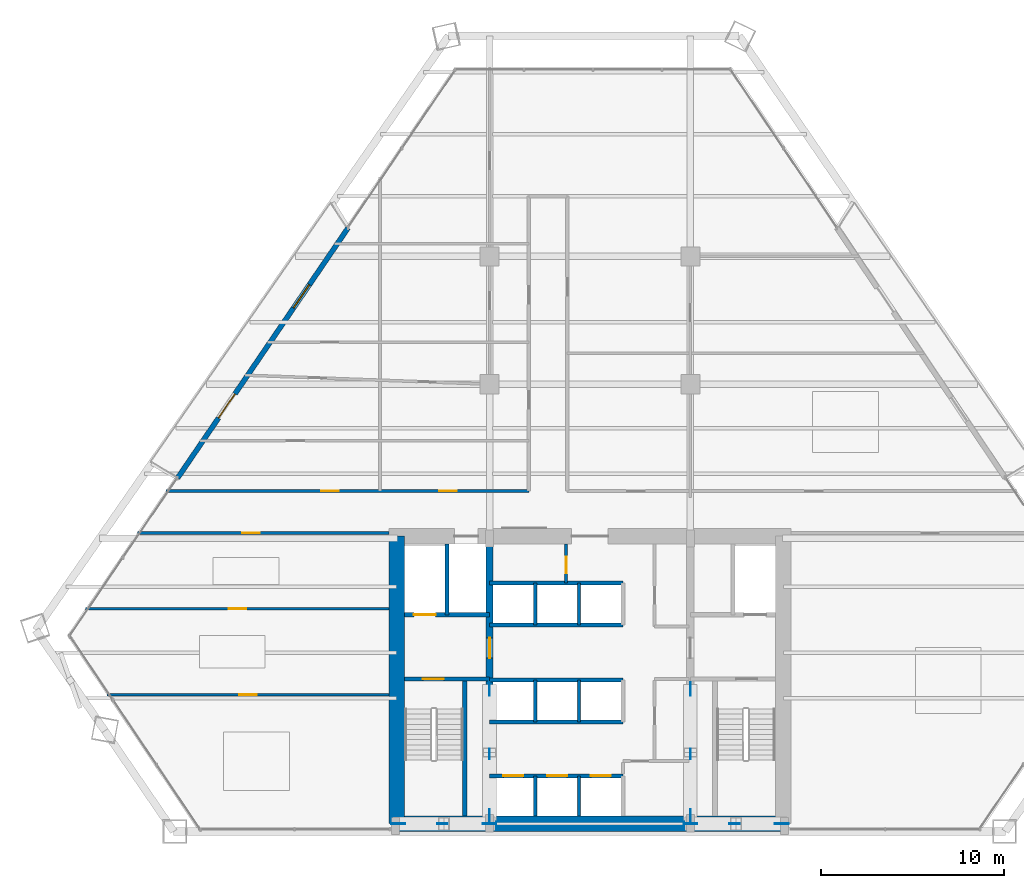
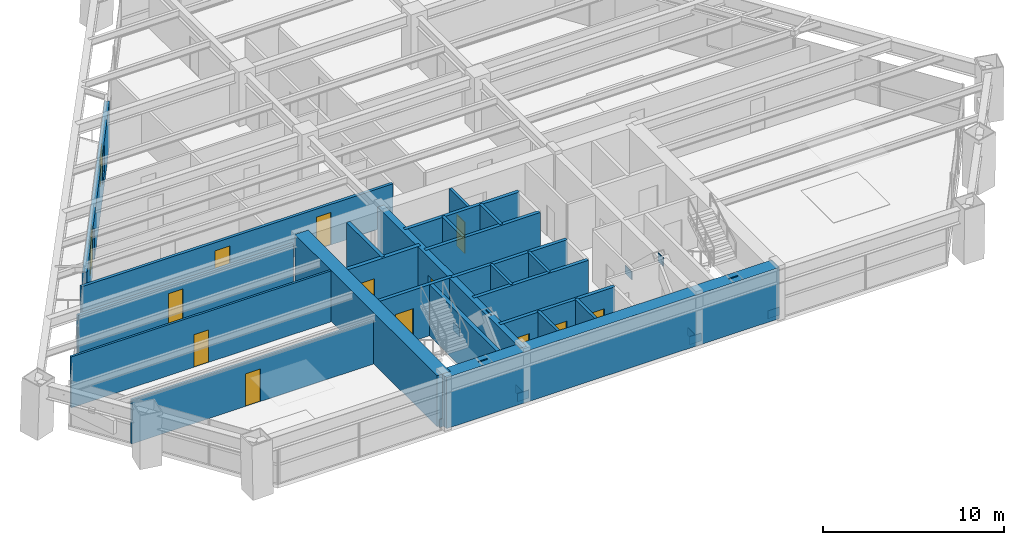
# One storey, part 10 of 14: 24 walls, 13 doors, 12 plates, 1 window, 14 openings.
"""IFC4 building model written with IfcOpenShell, lengths in metres."""

from ifc_helpers import new_model, si_unit, direction, frame, frame_2d, origin, origin_2d, place, context, subcontext, project, spatial, rectangle, extrude, source, transform, mapped, material, layer, layer_set, type_object, type_shapes, element, fill, save


model = new_model("IFC4")

# Units and contexts
model_context = context("Model", 3, precision=1e-05, world=origin(), true_north=direction((0.0, 1.0)))
body_context = subcontext(model_context, "Body", "Model", "MODEL_VIEW")
ifc_project = project(units=[si_unit("LENGTHUNIT", "METRE"), si_unit("AREAUNIT", "SQUARE_METRE"), si_unit("VOLUMEUNIT", "CUBIC_METRE"), si_unit("PLANEANGLEUNIT", "RADIAN"), si_unit("MASSUNIT", "GRAM", prefix="KILO")], contexts=[model_context])

# Site, building, storey
site_placement = place(None, origin())
site = spatial("IfcSite", under=ifc_project, at=site_placement, CompositionType="ELEMENT")
building_placement = place(site_placement, origin())
building = spatial("IfcBuilding", under=site, at=building_placement, Name="Varnakhor Terracotta Tower", CompositionType="ELEMENT")
storey_placement = place(building_placement, frame((0.0, 0.0, 42.300048828125)))
storey = spatial("IfcBuildingStorey", under=building, at=storey_placement, Name="L09", CompositionType="ELEMENT", Elevation=42.300048828125)

# Plates
ifc_material_1 = material(Name="Steel S460", Category="steel")
ifc_layer_1 = layer(ifc_material_1, 0.050048828125, Name="Steel S460")
ifc_layer_set_1 = layer_set([ifc_layer_1], Name="Steel S460")
plate_type = type_object("IfcPlateType", Name="PLT-GUSSET-50", PredefinedType="USERDEFINED", material=ifc_layer_set_1)
shared_shape_1 = source(origin(), body_context, "Body", "SweptSolid", [
    extrude(rectangle(XDim=0.75, YDim=0.0400390625, at=origin_2d()), origin(), (0.0, 0.0, 1.0), 0.550048828125),
])
type_shapes(plate_type, [shared_shape_1])
for number, where, z_axis, x_axis, name in (
    (1, (-10.5, 0.419921875, -0.09521484375), (0.0, 0.0, 1.0), (1.0, 0.0, 0.0), "L09 Core Brace Embed Plate CSWA"),
    (2, (-5.5, 0.419921875, -0.09521484375), (0.0, 0.0, 1.0), (1.0, 0.0, 0.0), "L09 Core Brace Embed Plate CSWB"),
    (3, (5.5, 0.419921875, -0.09521484375), (0.0, 0.0, 1.0), (1.0, 0.0, 0.0), "L09 Core Brace Embed Plate CSEA"),
    (4, (10.5, 0.419921875, -0.09521484375), (0.0, 0.0, 1.0), (1.0, 0.0, 0.0), "L09 Core Brace Embed Plate CSEB"),
    (5, (-5.5, 0.85009765625, -0.09521484375), (0.0, 0.0, 1.0), (0.0, 1.0, 0.0), "L09 Core Brace Embed Plate CWWA"),
    (6, (-5.5, 7.800048828125, -0.09521484375), (0.0, 0.0, 1.0), (0.0, 1.0, 0.0), "L09 Core Brace Embed Plate CWWB"),
    (7, (5.5, 0.85009765625, -0.09521484375), (0.0, 0.0, 1.0), (0.0, 1.0, 0.0), "L09 Core Brace Embed Plate CWEA"),
    (8, (5.5, 7.800048828125, -0.09521484375), (0.0, 0.0, 1.0), (0.0, 1.0, 0.0), "L09 Core Brace Embed Plate CWEB"),
):
    element("IfcPlate", number, at=place(storey_placement, frame(where, z_axis=z_axis, x_axis=x_axis)), inside=storey, type_object=plate_type, Name=name, ObjectType="GUSSET PLATE", PredefinedType="USERDEFINED", context=body_context, shape_type="MappedRepresentation", body=[
        mapped(shared_shape_1, transform((0.0, 0.0, 0.0), scale=1.0)),
    ])
shared_shape_2 = source(origin(), body_context, "Body", "SweptSolid", [
    extrude(rectangle(XDim=0.580078125, YDim=0.0400390625, at=origin_2d()), origin(), (0.0, 0.0, 1.0), 0.580078125),
])
for number, where, z_axis, x_axis, name in (
    (9, (-8.072509765625, 0.419921875, 2.914306640625), (0.0, 0.0, 1.0), (1.0, 0.0, 0.0), "L09 Brace End Connection Plate 36"),
    (10, (7.927490234375, 0.419921875, 2.914306640625), (0.0, 0.0, 1.0), (1.0, 0.0, 0.0), "L09 Brace End Connection Plate 37"),
    (11, (-5.5, 4.238037109375, 2.92724609375), (0.0, 0.0, 1.0), (0.0, 1.0, 0.0), "L09 Brace End Connection Plate 38"),
    (12, (5.5, 4.238037109375, 2.92724609375), (0.0, 0.0, 1.0), (0.0, 1.0, 0.0), "L09 Brace End Connection Plate 39"),
):
    element("IfcPlate", number, at=place(storey_placement, frame(where, z_axis=z_axis, x_axis=x_axis)), inside=storey, type_object=plate_type, Name=name, ObjectType="GUSSET PLATE", PredefinedType="USERDEFINED", context=body_context, shape_type="MappedRepresentation", body=[
        mapped(shared_shape_2, transform((0.0, 0.0, 0.0), scale=1.0)),
    ])

# Walls
ifc_material_2 = material(Name="Concrete C60/75", Category="concrete")
ifc_layer_2 = layer(ifc_material_2, 0.85009765625, Name="Concrete C60/75")
ifc_layer_set_2 = layer_set([ifc_layer_2], Name="Concrete C60/75")
wall_type_1 = type_object("IfcWallType", Name="WAL-CORE-850", PredefinedType="SHEAR", material=ifc_layer_set_2)
wall_1_placement = place(storey_placement, frame((-10.64990234375, 0.425048828125, 0.0), z_axis=(0.0, 0.0, 1.0), x_axis=(1.0, 0.0, 0.0)))
element("IfcWall", 13, at=wall_1_placement, inside=storey, type_object=wall_type_1, Name="L09 South Core Shear Wall", PredefinedType="SHEAR", context=body_context, shape_type="SweptSolid", body=[
    extrude(rectangle(XDim=21.2998046875, YDim=0.85009765625, at=frame_2d((10.64990234375, 0.0))), origin(), (0.0, 0.0, 1.0), 3.449951171875),
])
wall_2_placement = place(storey_placement, frame((-10.574951171875, 0.425048828125, 0.0), z_axis=(0.0, 0.0, 1.0), x_axis=(0.0, 1.0, 0.0)))
element("IfcWall", 14, at=wall_2_placement, inside=storey, type_object=wall_type_1, Name="L09 West Core Shear Wall", PredefinedType="SHEAR", context=body_context, shape_type="SweptSolid", body=[
    extrude(rectangle(XDim=15.75, YDim=0.85009765625, at=frame_2d((7.875, 0.0))), origin(), (0.0, 0.0, 1.0), 3.449951171875),
])

# Wall, opening, door
ifc_material_3 = material(Name="Concrete C50/60", Category="concrete")
ifc_layer_3 = layer(ifc_material_3, 0.39990234375, Name="Concrete C50/60")
ifc_layer_set_3 = layer_set([ifc_layer_3], Name="Concrete C50/60")
wall_type_2 = type_object("IfcWallType", Name="WAL-CORE-WEB-400", PredefinedType="SHEAR", material=ifc_layer_set_3)
wall_3_placement = place(storey_placement, frame((-5.5, 0.425048828125, 0.0), z_axis=(0.0, 0.0, 1.0), x_axis=(0.0, 1.0, 0.0)))
wall_3 = element("IfcWall", 15, at=wall_3_placement, inside=storey, type_object=wall_type_2, Name="L09 West Core Web Shear Wall", PredefinedType="SHEAR", context=body_context, shape_type="SweptSolid", body=[
    extrude(rectangle(XDim=15.75, YDim=0.39990234375, at=frame_2d((7.875, 0.0))), origin(), (0.0, 0.0, 1.0), 3.449951171875),
])
opening_1_placement = place(wall_3_placement, frame((9.074951171875, 0.0, 0.0)))
opening_1 = element("IfcOpeningElement", 16, at=opening_1_placement, cuts=wall_3, Name="Opening DR-25", PredefinedType="OPENING", context=body_context, shape_type="SweptSolid", body=[
    extrude(rectangle(XDim=1.10009765625, YDim=2.199951171875, at=frame_2d((0.550048828125, 1.10009765625))), frame((0.0, 0.2099609375, 0.0), z_axis=(0.0, -1.0, 0.0), x_axis=(1.0, 0.0, 0.0)), (0.0, 0.0, 1.0), 0.419921875),
])
ifc_material_4 = material(Name="Firefighting Lobby Self-Closing Fire Door", Category="steel")
door_type_1 = type_object("IfcDoorType", Name="DR-FFL-1100X2200", OperationType="NOTDEFINED", PredefinedType="DOOR", material=ifc_material_4)
shared_shape_3 = source(origin(), body_context, "Body", "SweptSolid", [
    extrude(rectangle(XDim=1.10009765625, YDim=2.199951171875, at=frame_2d((0.550048828125, 1.10009765625))), frame((0.0, 0.02490234375, 0.0), z_axis=(0.0, -1.0, 0.0), x_axis=(1.0, 0.0, 0.0)), (0.0, 0.0, 1.0), 0.050048828125),
])
type_shapes(door_type_1, [shared_shape_3])
door_1_placement = place(opening_1_placement, origin())
door_1 = element("IfcDoor", 17, at=door_1_placement, inside=storey, type_object=door_type_1, Name="L09 West Firefighting Lobby Door", OperationType="SINGLE_SWING_LEFT", OverallHeight=2.199951171875, OverallWidth=1.10009765625, PredefinedType="DOOR", context=body_context, shape_type="MappedRepresentation", body=[
    mapped(shared_shape_3, transform((0.0, 0.0, 0.0), scale=1.0)),
])
fill(opening_1, door_1)

ifc_material_5 = material(Name="Fire-Rated Gypsum Stud Partition", Category="gypsum")
ifc_layer_4 = layer(ifc_material_5, 0.18505859375, Name="Fire-Rated Gypsum Stud Partition")
ifc_layer_set_4 = layer_set([ifc_layer_4], Name="Fire-Rated Gypsum Stud Partition")
wall_type_3 = type_object("IfcWallType", Name="WAL-CORR-185", PredefinedType="PARTITIONING", material=ifc_layer_set_4)
wall_4_placement = place(storey_placement, frame((-24.796875, 16.35009765625, 0.0), z_axis=(0.0, 0.0, 1.0), x_axis=(1.0, 0.0, 0.0)))
wall_4 = element("IfcWall", 18, at=wall_4_placement, inside=storey, type_object=wall_type_3, Name="L09 South West Corridor Wall", PredefinedType="PARTITIONING", context=body_context, shape_type="SweptSolid", body=[
    extrude(rectangle(XDim=13.77685546875, YDim=0.18505859375, at=frame_2d((6.888427734375, 0.0))), origin(), (0.0, 0.0, 1.0), 2.7470703125),
])
opening_2_placement = place(wall_4_placement, frame((5.758544921875, 0.0, 0.0)))
opening_2 = element("IfcOpeningElement", 19, at=opening_2_placement, cuts=wall_4, Name="Opening DR-94", PredefinedType="OPENING", context=body_context, shape_type="SweptSolid", body=[
    extrude(rectangle(XDim=0.949951171875, YDim=2.199951171875, at=frame_2d((0.47509765625, 1.10009765625))), frame((0.0, 0.1025390625, 0.0), z_axis=(0.0, -1.0, 0.0), x_axis=(1.0, 0.0, 0.0)), (0.0, 0.0, 1.0), 0.205078125),
])
ifc_material_6 = material(Name="Acoustic Glazed-Vision Timber Office Door", Category="wood")
door_type_2 = type_object("IfcDoorType", Name="DR-OFF-950X2200", OperationType="NOTDEFINED", PredefinedType="DOOR", material=ifc_material_6)
shared_shape_4 = source(origin(), body_context, "Body", "SweptSolid", [
    extrude(rectangle(XDim=0.949951171875, YDim=2.199951171875, at=frame_2d((0.47509765625, 1.10009765625))), frame((0.0, 0.02490234375, 0.0), z_axis=(0.0, -1.0, 0.0), x_axis=(1.0, 0.0, 0.0)), (0.0, 0.0, 1.0), 0.050048828125),
])
type_shapes(door_type_2, [shared_shape_4])
door_2_placement = place(opening_2_placement, origin())
door_2 = element("IfcDoor", 20, at=door_2_placement, inside=storey, type_object=door_type_2, Name="L09 SW Suite Door", OperationType="SINGLE_SWING_RIGHT", OverallHeight=2.199951171875, OverallWidth=0.949951171875, PredefinedType="DOOR", context=body_context, shape_type="MappedRepresentation", body=[
    mapped(shared_shape_4, transform((0.0, 0.0, 0.0), scale=1.0)),
])
fill(opening_2, door_2)

# Wall, openings, doors
wall_5_placement = place(storey_placement, frame((-23.22900390625, 18.64990234375, 0.0), z_axis=(0.0, 0.0, 1.0), x_axis=(1.0, 0.0, 0.0)))
wall_5 = element("IfcWall", 21, at=wall_5_placement, inside=storey, type_object=wall_type_3, Name="L09 Corridor North West Wall", PredefinedType="PARTITIONING", context=body_context, shape_type="SweptSolid", body=[
    extrude(rectangle(XDim=19.87890625, YDim=0.18505859375, at=frame_2d((9.939453125, 0.0))), origin(), (0.0, 0.0, 1.0), 2.7470703125),
])
opening_3_placement = place(wall_5_placement, frame((8.504638671875, 0.0, 0.0)))
opening_3 = element("IfcOpeningElement", 22, at=opening_3_placement, cuts=wall_5, Name="Opening DR-94", PredefinedType="OPENING", context=body_context, shape_type="SweptSolid", body=[
    extrude(rectangle(XDim=0.949951171875, YDim=2.199951171875, at=frame_2d((0.47509765625, 1.10009765625))), frame((0.0, 0.1025390625, 0.0), z_axis=(0.0, -1.0, 0.0), x_axis=(1.0, 0.0, 0.0)), (0.0, 0.0, 1.0), 0.205078125),
])
opening_4_placement = place(wall_5_placement, frame((14.981689453125, 0.0, 0.0)))
opening_4 = element("IfcOpeningElement", 23, at=opening_4_placement, cuts=wall_5, Name="Opening DR-94", PredefinedType="OPENING", context=body_context, shape_type="SweptSolid", body=[
    extrude(rectangle(XDim=0.949951171875, YDim=2.199951171875, at=frame_2d((0.47509765625, 1.10009765625))), frame((0.0, 0.1025390625, 0.0), z_axis=(0.0, -1.0, 0.0), x_axis=(1.0, 0.0, 0.0)), (0.0, 0.0, 1.0), 0.205078125),
])
door_3_placement = place(opening_3_placement, origin())
door_3 = element("IfcDoor", 24, at=door_3_placement, inside=storey, type_object=door_type_2, Name="L09 West Workplace Door", OperationType="SINGLE_SWING_RIGHT", OverallHeight=2.199951171875, OverallWidth=0.949951171875, PredefinedType="DOOR", context=body_context, shape_type="MappedRepresentation", body=[
    mapped(shared_shape_4, transform((0.0, 0.0, 0.0), scale=1.0)),
])
fill(opening_3, door_3)
door_4_placement = place(opening_4_placement, origin())
door_4 = element("IfcDoor", 25, at=door_4_placement, inside=storey, type_object=door_type_2, Name="L09 Project Study Office B7 Door", OperationType="SINGLE_SWING_LEFT", OverallHeight=2.199951171875, OverallWidth=0.949951171875, PredefinedType="DOOR", context=body_context, shape_type="MappedRepresentation", body=[
    mapped(shared_shape_4, transform((0.0, 0.0, 0.0), scale=1.0)),
])
fill(opening_4, door_4)

# Wall, openings, door, window
ifc_material_7 = material(Name="Extruded Architectural Terracotta Assembly", Category="masonry")
ifc_layer_5 = layer(ifc_material_7, 0.280029296875, Name="Extruded Architectural Terracotta Assembly")
ifc_layer_set_5 = layer_set([ifc_layer_5], Name="Extruded Architectural Terracotta Assembly")
wall_type_4 = type_object("IfcWallType", Name="WAL-EXT-TERRACOTTA-280", PredefinedType="SOLIDWALL", material=ifc_layer_set_5)
wall_6_placement = place(storey_placement, frame((-22.586669921875, 19.36181640625, 0.0), z_axis=(0.0, 0.0, 1.0), x_axis=(0.563199697448, 0.826320821954, 0.0)))
wall_6 = element("IfcWall", 26, at=wall_6_placement, inside=storey, type_object=wall_type_4, Name="L09 W Loggia Insulated Terracotta Wall", PredefinedType="SOLIDWALL", context=body_context, shape_type="SweptSolid", body=[
    extrude(rectangle(XDim=16.574462890625, YDim=0.280029296875, at=frame_2d((8.287109375, 0.0))), origin(), (0.0, 0.0, 1.0), 3.030029296875),
])
opening_5_placement = place(wall_6_placement, frame((3.977783203125, 0.0, 0.0)))
opening_5 = element("IfcOpeningElement", 27, at=opening_5_placement, cuts=wall_6, Name="Opening DR-62", PredefinedType="OPENING", context=body_context, shape_type="SweptSolid", body=[
    extrude(rectangle(XDim=1.60009765625, YDim=2.35009765625, at=frame_2d((0.800048828125, 1.175048828125))), frame((0.0, 0.14990234375, 0.0), z_axis=(0.0, -1.0, 0.0), x_axis=(1.0, 0.0, 0.0)), (0.0, 0.0, 1.0), 0.300048828125),
])
opening_6_placement = place(wall_6_placement, frame((11.2705078125, 0.0, 0.89990234375)))
opening_6 = element("IfcOpeningElement", 28, at=opening_6_placement, cuts=wall_6, Name="Opening WN-57", PredefinedType="OPENING", context=body_context, shape_type="SweptSolid", body=[
    extrude(rectangle(XDim=1.550048828125, YDim=1.85009765625, at=frame_2d((0.77490234375, 0.925048828125))), frame((0.0, 0.14990234375, 0.0), z_axis=(0.0, -1.0, 0.0), x_axis=(1.0, 0.0, 0.0)), (0.0, 0.0, 1.0), 0.300048828125),
])
ifc_material_8 = material(Name="Thermally Broken Sliding Glass Loggia Door", Category="glass")
door_type_3 = type_object("IfcDoorType", Name="DR-EXT-LOGGIA-1600X2350", OperationType="NOTDEFINED", PredefinedType="DOOR", material=ifc_material_8)
shared_shape_5 = source(origin(), body_context, "Body", "SweptSolid", [
    extrude(rectangle(XDim=1.60009765625, YDim=2.35009765625, at=frame_2d((0.800048828125, 1.175048828125))), frame((0.0, 0.02490234375, 0.0), z_axis=(0.0, -1.0, 0.0), x_axis=(1.0, 0.0, 0.0)), (0.0, 0.0, 1.0), 0.050048828125),
])
type_shapes(door_type_3, [shared_shape_5])
door_5_placement = place(opening_5_placement, origin())
door_5 = element("IfcDoor", 29, at=door_5_placement, inside=storey, type_object=door_type_3, Name="L09 W Recessed Loggia Sliding Door", OperationType="SLIDING_TO_LEFT", OverallHeight=2.35009765625, OverallWidth=1.60009765625, PredefinedType="DOOR", context=body_context, shape_type="MappedRepresentation", body=[
    mapped(shared_shape_5, transform((0.0, 0.0, 0.0), scale=1.0)),
])
fill(opening_5, door_5)
ifc_material_9 = material(Name="Solar-Control Low-E Insulated Glass Unit", Category="glass")
window_type = type_object("IfcWindowType", Name="WIN-OFF-1650X2100", PartitioningType="SINGLE_PANEL", PredefinedType="WINDOW", material=ifc_material_9)
shared_shape_6 = source(origin(), body_context, "Body", "SweptSolid", [
    extrude(rectangle(XDim=1.550048828125, YDim=1.85009765625, at=frame_2d((0.77490234375, 0.925048828125))), frame((0.0, 0.030029296875, 0.0), z_axis=(0.0, -1.0, 0.0), x_axis=(1.0, 0.0, 0.0)), (0.0, 0.0, 1.0), 0.06005859375),
])
type_shapes(window_type, [shared_shape_6])
window_placement = place(opening_6_placement, origin())
window = element("IfcWindow", 30, at=window_placement, inside=storey, type_object=window_type, Name="L09 W Facet Punched Window", OverallHeight=1.85009765625, OverallWidth=1.550048828125, PartitioningType="SINGLE_PANEL", PredefinedType="WINDOW", context=body_context, shape_type="MappedRepresentation", body=[
    mapped(shared_shape_6, transform((0.0, 0.0, 0.0), scale=1.0)),
])
fill(opening_6, window)

# Wall, opening, door
ifc_material_10 = material(Name="Concrete C40/50", Category="concrete")
ifc_layer_6 = layer(ifc_material_10, 0.219970703125, Name="Concrete C40/50")
ifc_layer_set_6 = layer_set([ifc_layer_6], Name="Concrete C40/50")
wall_type_5 = type_object("IfcWallType", Name="WAL-FFLOBBY-220", PredefinedType="SOLIDWALL", material=ifc_layer_set_6)
wall_7_placement = place(storey_placement, frame((-5.5, 8.35009765625, 0.0), z_axis=(0.0, 0.0, 1.0), x_axis=(-1.0, 0.0, 0.0)))
wall_7 = element("IfcWall", 31, at=wall_7_placement, inside=storey, type_object=wall_type_5, Name="L09 West Firefighting Lobby Stair Wall", PredefinedType="SOLIDWALL", context=body_context, shape_type="SweptSolid", body=[
    extrude(rectangle(XDim=4.64990234375, YDim=0.219970703125, at=frame_2d((2.324951171875, 0.0))), origin(), (0.0, 0.0, 1.0), 3.449951171875),
])
opening_7_placement = place(wall_7_placement, frame((2.5, 0.0, 0.0)))
opening_7 = element("IfcOpeningElement", 32, at=opening_7_placement, cuts=wall_7, Name="Opening DR-34", PredefinedType="OPENING", context=body_context, shape_type="SweptSolid", body=[
    extrude(rectangle(XDim=1.14990234375, YDim=2.199951171875, at=frame_2d((0.574951171875, 1.10009765625))), frame((0.0, 0.1201171875, 0.0), z_axis=(0.0, -1.0, 0.0), x_axis=(1.0, 0.0, 0.0)), (0.0, 0.0, 1.0), 0.239990234375),
])
ifc_material_11 = material(Name="Self-Closing Smoke-Sealed Steel Fire Door", Category="steel")
door_type_4 = type_object("IfcDoorType", Name="DR-STAIR-1150X2200", OperationType="NOTDEFINED", PredefinedType="DOOR", material=ifc_material_11)
shared_shape_7 = source(origin(), body_context, "Body", "SweptSolid", [
    extrude(rectangle(XDim=1.14990234375, YDim=2.199951171875, at=frame_2d((0.574951171875, 1.10009765625))), frame((0.0, 0.02490234375, 0.0), z_axis=(0.0, -1.0, 0.0), x_axis=(1.0, 0.0, 0.0)), (0.0, 0.0, 1.0), 0.050048828125),
])
type_shapes(door_type_4, [shared_shape_7])
door_6_placement = place(opening_7_placement, origin())
door_6 = element("IfcDoor", 33, at=door_6_placement, inside=storey, type_object=door_type_4, Name="L09 Exit Stair ST-1 Fire Door", OperationType="SINGLE_SWING_RIGHT", OverallHeight=2.199951171875, OverallWidth=1.14990234375, PredefinedType="DOOR", context=body_context, shape_type="MappedRepresentation", body=[
    mapped(shared_shape_7, transform((0.0, 0.0, 0.0), scale=1.0)),
])
fill(opening_7, door_6)

ifc_material_12 = material(Name="Acoustic Metal-Stud Partition", Category="gypsum")
ifc_layer_7 = layer(ifc_material_12, 0.139892578125, Name="Acoustic Metal-Stud Partition")
ifc_layer_set_7 = layer_set([ifc_layer_7], Name="Acoustic Metal-Stud Partition")
wall_type_6 = type_object("IfcWallType", Name="WAL-PART-140", PredefinedType="PARTITIONING", material=ifc_layer_set_7)
wall_8_placement = place(storey_placement, frame((-26.45849609375, 7.5, 0.0), z_axis=(0.0, 0.0, 1.0), x_axis=(1.0, 0.0, 0.0)))
wall_8 = element("IfcWall", 34, at=wall_8_placement, inside=storey, type_object=wall_type_6, Name="L09 South West Cut 1", PredefinedType="PARTITIONING", context=body_context, shape_type="SweptSolid", body=[
    extrude(rectangle(XDim=15.4384765625, YDim=0.139892578125, at=frame_2d((7.71923828125, 0.0))), origin(), (0.0, 0.0, 1.0), 2.97900390625),
])
opening_8_placement = place(wall_8_placement, frame((7.25634765625, 0.0, 0.0)))
opening_8 = element("IfcOpeningElement", 35, at=opening_8_placement, cuts=wall_8, Name="Opening DR-94", PredefinedType="OPENING", context=body_context, shape_type="SweptSolid", body=[
    extrude(rectangle(XDim=0.949951171875, YDim=2.199951171875, at=frame_2d((0.47509765625, 1.10009765625))), frame((0.0, 0.080078125, 0.0), z_axis=(0.0, -1.0, 0.0), x_axis=(1.0, 0.0, 0.0)), (0.0, 0.0, 1.0), 0.159912109375),
])
door_7_placement = place(opening_8_placement, origin())
door_7 = element("IfcDoor", 36, at=door_7_placement, inside=storey, type_object=door_type_2, Name="L09 South West Executive Office Door", OperationType="SINGLE_SWING_RIGHT", OverallHeight=2.199951171875, OverallWidth=0.949951171875, PredefinedType="DOOR", context=body_context, shape_type="MappedRepresentation", body=[
    mapped(shared_shape_4, transform((0.0, 0.0, 0.0), scale=1.0)),
])
fill(opening_8, door_7)

wall_9_placement = place(storey_placement, frame((-27.625244140625, 12.199951171875, 0.0), z_axis=(0.0, 0.0, 1.0), x_axis=(1.0, 0.0, 0.0)))
wall_9 = element("IfcWall", 37, at=wall_9_placement, inside=storey, type_object=wall_type_6, Name="L09 South West Cut 2", PredefinedType="PARTITIONING", context=body_context, shape_type="SweptSolid", body=[
    extrude(rectangle(XDim=16.605224609375, YDim=0.139892578125, at=frame_2d((8.302734375, 0.0))), origin(), (0.0, 0.0, 1.0), 3.44189453125),
])
opening_9_placement = place(wall_9_placement, frame((7.840576171875, 0.0, 0.0)))
opening_9 = element("IfcOpeningElement", 38, at=opening_9_placement, cuts=wall_9, Name="Opening DR-94", PredefinedType="OPENING", context=body_context, shape_type="SweptSolid", body=[
    extrude(rectangle(XDim=0.949951171875, YDim=2.199951171875, at=frame_2d((0.47509765625, 1.10009765625))), frame((0.0, 0.080078125, 0.0), z_axis=(0.0, -1.0, 0.0), x_axis=(1.0, 0.0, 0.0)), (0.0, 0.0, 1.0), 0.159912109375),
])
door_8_placement = place(opening_9_placement, origin())
door_8 = element("IfcDoor", 39, at=door_8_placement, inside=storey, type_object=door_type_2, Name="L09 Project Study Office Door", OperationType="SINGLE_SWING_RIGHT", OverallHeight=2.199951171875, OverallWidth=0.949951171875, PredefinedType="DOOR", context=body_context, shape_type="MappedRepresentation", body=[
    mapped(shared_shape_4, transform((0.0, 0.0, 0.0), scale=1.0)),
])
fill(opening_9, door_8)

# Walls
ifc_layer_8 = layer(ifc_material_10, 0.179931640625, Name="Concrete C40/50")
ifc_layer_set_8 = layer_set([ifc_layer_8], Name="Concrete C40/50")
wall_type_7 = type_object("IfcWallType", Name="WAL-SHAFT-180", PredefinedType="SOLIDWALL", material=ifc_layer_set_8)
for number, where, z_axis, x_axis, name in (
    (40, (-3.0, 0.85009765625, 0.0), (0.0, 0.0, 1.0), (0.0, 1.0, 0.0), "L09 PL-1A Divider"),
    (41, (-0.60009765625, 0.85009765625, 0.0), (0.0, 0.0, 1.0), (0.0, 1.0, 0.0), "L09 PL-1B Divider"),
):
    element("IfcWall", number, at=place(storey_placement, frame(where, z_axis=z_axis, x_axis=x_axis)), inside=storey, type_object=wall_type_7, Name=name, PredefinedType="SOLIDWALL", context=body_context, shape_type="SweptSolid", body=[
        extrude(rectangle(XDim=2.199951171875, YDim=0.179931640625, at=frame_2d((1.10009765625, 0.0))), origin(), (0.0, 0.0, 1.0), 3.449951171875),
    ])
for number, where, z_axis, x_axis, name in (
    (42, (-3.0, 6.0, 0.0), (0.0, 0.0, 1.0), (0.0, 1.0, 0.0), "L09 PL-2A Divider"),
    (43, (-0.60009765625, 6.0, 0.0), (0.0, 0.0, 1.0), (0.0, 1.0, 0.0), "L09 PL-2B Divider"),
    (44, (-3.0, 11.320068359375, 0.0), (0.0, 0.0, 1.0), (0.0, 1.0, 0.0), "L09 PL-3A Divider"),
    (45, (-0.60009765625, 11.320068359375, 0.0), (0.0, 0.0, 1.0), (0.0, 1.0, 0.0), "L09 PL-3B Divider"),
):
    element("IfcWall", number, at=place(storey_placement, frame(where, z_axis=z_axis, x_axis=x_axis)), inside=storey, type_object=wall_type_7, Name=name, PredefinedType="SOLIDWALL", context=body_context, shape_type="SweptSolid", body=[
        extrude(rectangle(XDim=2.300048828125, YDim=0.179931640625, at=frame_2d((1.14990234375, 0.0))), origin(), (0.0, 0.0, 1.0), 3.449951171875),
    ])
ifc_layer_9 = layer(ifc_material_10, 0.219970703125, Name="Concrete C40/50")
ifc_layer_set_9 = layer_set([ifc_layer_9], Name="Concrete C40/50")
wall_type_8 = type_object("IfcWallType", Name="WAL-SHAFT-220", PredefinedType="SOLIDWALL", material=ifc_layer_set_9)
wall_10_placement = place(storey_placement, frame((-7.840087890625, 11.8701171875, 0.0), z_axis=(0.0, 0.0, 1.0), x_axis=(0.0, 1.0, 0.0)))
element("IfcWall", 46, at=wall_10_placement, inside=storey, type_object=wall_type_8, Name="L09 Lift FFL-1 and SVL-1 Divider Wall", PredefinedType="SOLIDWALL", context=body_context, shape_type="SweptSolid", body=[
    extrude(rectangle(XDim=3.8798828125, YDim=0.219970703125, at=frame_2d((1.93994140625, 0.0))), origin(), (0.0, 0.0, 1.0), 3.449951171875),
])

# Wall, openings, doors
wall_11_placement = place(storey_placement, frame((-5.5, 3.050048828125, 0.0), z_axis=(0.0, 0.0, 1.0), x_axis=(1.0, 0.0, 0.0)))
wall_11 = element("IfcWall", 47, at=wall_11_placement, inside=storey, type_object=wall_type_8, Name="L09 Bank 1 Lift Shaft Wall", PredefinedType="SOLIDWALL", context=body_context, shape_type="SweptSolid", body=[
    extrude(rectangle(XDim=7.320068359375, YDim=0.219970703125, at=frame_2d((3.66015625, 0.0))), origin(), (0.0, 0.0, 1.0), 3.449951171875),
])
opening_10_placement = place(wall_11_placement, frame((0.75, 0.0, 0.0)))
opening_10 = element("IfcOpeningElement", 48, at=opening_10_placement, cuts=wall_11, Name="Opening LD-01", PredefinedType="OPENING", context=body_context, shape_type="SweptSolid", body=[
    extrude(rectangle(XDim=1.10009765625, YDim=2.199951171875, at=frame_2d((0.550048828125, 1.10009765625))), frame((0.0, 0.1201171875, 0.0), z_axis=(0.0, -1.0, 0.0), x_axis=(1.0, 0.0, 0.0)), (0.0, 0.0, 1.0), 0.239990234375),
])
opening_11_placement = place(wall_11_placement, frame((3.14990234375, 0.0, 0.0)))
opening_11 = element("IfcOpeningElement", 49, at=opening_11_placement, cuts=wall_11, Name="Opening LD-01", PredefinedType="OPENING", context=body_context, shape_type="SweptSolid", body=[
    extrude(rectangle(XDim=1.10009765625, YDim=2.199951171875, at=frame_2d((0.550048828125, 1.10009765625))), frame((0.0, 0.1201171875, 0.0), z_axis=(0.0, -1.0, 0.0), x_axis=(1.0, 0.0, 0.0)), (0.0, 0.0, 1.0), 0.239990234375),
])
opening_12_placement = place(wall_11_placement, frame((5.550048828125, 0.0, 0.0)))
opening_12 = element("IfcOpeningElement", 50, at=opening_12_placement, cuts=wall_11, Name="Opening LD-01", PredefinedType="OPENING", context=body_context, shape_type="SweptSolid", body=[
    extrude(rectangle(XDim=1.10009765625, YDim=2.199951171875, at=frame_2d((0.550048828125, 1.10009765625))), frame((0.0, 0.1201171875, 0.0), z_axis=(0.0, -1.0, 0.0), x_axis=(1.0, 0.0, 0.0)), (0.0, 0.0, 1.0), 0.239990234375),
])
ifc_material_13 = material(Name="Brushed Stainless Steel Sliding Lift Landing Door", Category="steel")
door_type_5 = type_object("IfcDoorType", Name="LD-PASS-1100X2200", OperationType="NOTDEFINED", PredefinedType="DOOR", material=ifc_material_13)
shared_shape_8 = source(origin(), body_context, "Body", "SweptSolid", [
    extrude(rectangle(XDim=1.10009765625, YDim=2.199951171875, at=frame_2d((0.550048828125, 1.10009765625))), frame((0.0, 0.02490234375, 0.0), z_axis=(0.0, -1.0, 0.0), x_axis=(1.0, 0.0, 0.0)), (0.0, 0.0, 1.0), 0.050048828125),
])
type_shapes(door_type_5, [shared_shape_8])
door_9_placement = place(opening_10_placement, origin())
door_9 = element("IfcDoor", 51, at=door_9_placement, inside=storey, type_object=door_type_5, Name="L09 Passenger Lift PL-1A Landing Door", OperationType="SLIDING_TO_RIGHT", OverallHeight=2.199951171875, OverallWidth=1.10009765625, PredefinedType="DOOR", context=body_context, shape_type="MappedRepresentation", body=[
    mapped(shared_shape_8, transform((0.0, 0.0, 0.0), scale=1.0)),
])
fill(opening_10, door_9)
door_10_placement = place(opening_11_placement, origin())
door_10 = element("IfcDoor", 52, at=door_10_placement, inside=storey, type_object=door_type_5, Name="L09 Passenger Lift PL-1B Landing Door", OperationType="SLIDING_TO_RIGHT", OverallHeight=2.199951171875, OverallWidth=1.10009765625, PredefinedType="DOOR", context=body_context, shape_type="MappedRepresentation", body=[
    mapped(shared_shape_8, transform((0.0, 0.0, 0.0), scale=1.0)),
])
fill(opening_11, door_10)
door_11_placement = place(opening_12_placement, origin())
door_11 = element("IfcDoor", 53, at=door_11_placement, inside=storey, type_object=door_type_5, Name="L09 Passenger Lift PL-1C Landing Door", OperationType="SLIDING_TO_RIGHT", OverallHeight=2.199951171875, OverallWidth=1.10009765625, PredefinedType="DOOR", context=body_context, shape_type="MappedRepresentation", body=[
    mapped(shared_shape_8, transform((0.0, 0.0, 0.0), scale=1.0)),
])
fill(opening_12, door_11)

# Walls
for number, where, z_axis, x_axis, name in (
    (54, (-5.5, 6.0, 0.0), (0.0, 0.0, 1.0), (1.0, 0.0, 0.0), "L09 Bank 2 South Shaft Wall"),
    (55, (-5.5, 8.300048828125, 0.0), (0.0, 0.0, 1.0), (1.0, 0.0, 0.0), "L09 Bank 2 North Shaft Wall"),
    (56, (-5.5, 11.320068359375, 0.0), (0.0, 0.0, 1.0), (1.0, 0.0, 0.0), "L09 Bank 3 South Shaft Wall"),
    (57, (-5.5, 13.6201171875, 0.0), (0.0, 0.0, 1.0), (1.0, 0.0, 0.0), "L09 Bank 3 North Shaft Wall"),
):
    element("IfcWall", number, at=place(storey_placement, frame(where, z_axis=z_axis, x_axis=x_axis)), inside=storey, type_object=wall_type_8, Name=name, PredefinedType="SOLIDWALL", context=body_context, shape_type="SweptSolid", body=[
        extrude(rectangle(XDim=7.320068359375, YDim=0.219970703125, at=frame_2d((3.66015625, 0.0))), origin(), (0.0, 0.0, 1.0), 3.449951171875),
    ])
ifc_layer_10 = layer(ifc_material_10, 0.25, Name="Concrete C40/50")
ifc_layer_set_10 = layer_set([ifc_layer_10], Name="Concrete C40/50")
wall_type_9 = type_object("IfcWallType", Name="WAL-SHAFT-250", PredefinedType="SOLIDWALL", material=ifc_layer_set_10)
wall_12_placement = place(storey_placement, frame((-6.85009765625, 0.85009765625, 0.0), z_axis=(0.0, 0.0, 1.0), x_axis=(0.0, 1.0, 0.0)))
element("IfcWall", 58, at=wall_12_placement, inside=storey, type_object=wall_type_9, Name="L09 Stair ST-1 Bearing Shaft Wall", PredefinedType="SOLIDWALL", context=body_context, shape_type="SweptSolid", body=[
    extrude(rectangle(XDim=7.5, YDim=0.25, at=frame_2d((3.75, 0.0))), origin(), (0.0, 0.0, 1.0), 3.449951171875),
])

# Wall, opening, door
wall_13_placement = place(storey_placement, frame((-5.5, 11.8701171875, 0.0), z_axis=(0.0, 0.0, 1.0), x_axis=(-1.0, 0.0, 0.0)))
wall_13 = element("IfcWall", 59, at=wall_13_placement, inside=storey, type_object=wall_type_9, Name="L09 Lift FFL-1 Shaft Front Wall", PredefinedType="SOLIDWALL", context=body_context, shape_type="SweptSolid", body=[
    extrude(rectangle(XDim=4.64990234375, YDim=0.25, at=frame_2d((2.324951171875, 0.0))), origin(), (0.0, 0.0, 1.0), 3.449951171875),
])
opening_13_placement = place(wall_13_placement, frame((2.949951171875, 0.0, 0.0)))
opening_13 = element("IfcOpeningElement", 60, at=opening_13_placement, cuts=wall_13, Name="Opening LD-02", PredefinedType="OPENING", context=body_context, shape_type="SweptSolid", body=[
    extrude(rectangle(XDim=1.199951171875, YDim=2.25, at=frame_2d((0.60009765625, 1.125))), frame((0.0, 0.135009765625, 0.0), z_axis=(0.0, -1.0, 0.0), x_axis=(1.0, 0.0, 0.0)), (0.0, 0.0, 1.0), 0.27001953125),
])
ifc_material_14 = material(Name="Firefighting Stretcher Sliding Lift Landing Door", Category="steel")
door_type_6 = type_object("IfcDoorType", Name="LD-FFL-1200X2250", OperationType="NOTDEFINED", PredefinedType="DOOR", material=ifc_material_14)
shared_shape_9 = source(origin(), body_context, "Body", "SweptSolid", [
    extrude(rectangle(XDim=1.199951171875, YDim=2.25, at=frame_2d((0.60009765625, 1.125))), frame((0.0, 0.02490234375, 0.0), z_axis=(0.0, -1.0, 0.0), x_axis=(1.0, 0.0, 0.0)), (0.0, 0.0, 1.0), 0.050048828125),
])
type_shapes(door_type_6, [shared_shape_9])
door_12_placement = place(opening_13_placement, origin())
door_12 = element("IfcDoor", 61, at=door_12_placement, inside=storey, type_object=door_type_6, Name="L09 Firefighting Lift FFL-1 Landing Door", OperationType="SLIDING_TO_LEFT", OverallHeight=2.25, OverallWidth=1.199951171875, PredefinedType="DOOR", context=body_context, shape_type="MappedRepresentation", body=[
    mapped(shared_shape_9, transform((0.0, 0.0, 0.0), scale=1.0)),
])
fill(opening_13, door_12)

ifc_material_15 = material(Name="Acoustic Fire-Rated Partition", Category="gypsum")
ifc_layer_11 = layer(ifc_material_15, 0.1650390625, Name="Acoustic Fire-Rated Partition")
ifc_layer_set_11 = layer_set([ifc_layer_11], Name="Acoustic Fire-Rated Partition")
wall_type_10 = type_object("IfcWallType", Name="WAL-TENANCY-165", PredefinedType="PARTITIONING", material=ifc_layer_set_11)
wall_14_placement = place(storey_placement, frame((-1.300048828125, 13.60009765625, 0.0), z_axis=(0.0, 0.0, 1.0), x_axis=(0.0, 1.0, 0.0)))
wall_14 = element("IfcWall", 62, at=wall_14_placement, inside=storey, type_object=wall_type_10, Name="L09 Male Restroom Wall", PredefinedType="PARTITIONING", context=body_context, shape_type="SweptSolid", body=[
    extrude(rectangle(XDim=2.14990234375, YDim=0.1650390625, at=frame_2d((1.074951171875, 0.0))), origin(), (0.0, 0.0, 1.0), 3.44189453125),
])
opening_14_placement = place(wall_14_placement, frame((0.550048828125, 0.0, 0.0)))
opening_14 = element("IfcOpeningElement", 63, at=opening_14_placement, cuts=wall_14, Name="Opening DR-67", PredefinedType="OPENING", context=body_context, shape_type="SweptSolid", body=[
    extrude(rectangle(XDim=0.89990234375, YDim=2.10009765625, at=frame_2d((0.449951171875, 1.050048828125))), frame((0.0, 0.092529296875, 0.0), z_axis=(0.0, -1.0, 0.0), x_axis=(1.0, 0.0, 0.0)), (0.0, 0.0, 1.0), 0.18505859375),
])
ifc_material_16 = material(Name="Steel Service Riser Fire Door", Category="steel")
door_type_7 = type_object("IfcDoorType", Name="DR-RISER-900X2100", OperationType="NOTDEFINED", PredefinedType="DOOR", material=ifc_material_16)
shared_shape_10 = source(origin(), body_context, "Body", "SweptSolid", [
    extrude(rectangle(XDim=0.89990234375, YDim=2.10009765625, at=frame_2d((0.449951171875, 1.050048828125))), frame((0.0, 0.02490234375, 0.0), z_axis=(0.0, -1.0, 0.0), x_axis=(1.0, 0.0, 0.0)), (0.0, 0.0, 1.0), 0.050048828125),
])
type_shapes(door_type_7, [shared_shape_10])
door_13_placement = place(opening_14_placement, origin())
door_13 = element("IfcDoor", 64, at=door_13_placement, inside=storey, type_object=door_type_7, Name="L09 Male WC Door", OperationType="SINGLE_SWING_RIGHT", OverallHeight=2.10009765625, OverallWidth=0.89990234375, PredefinedType="DOOR", context=body_context, shape_type="MappedRepresentation", body=[
    mapped(shared_shape_10, transform((0.0, 0.0, 0.0), scale=1.0)),
])
fill(opening_14, door_13)

save(model, "model.ifc")
